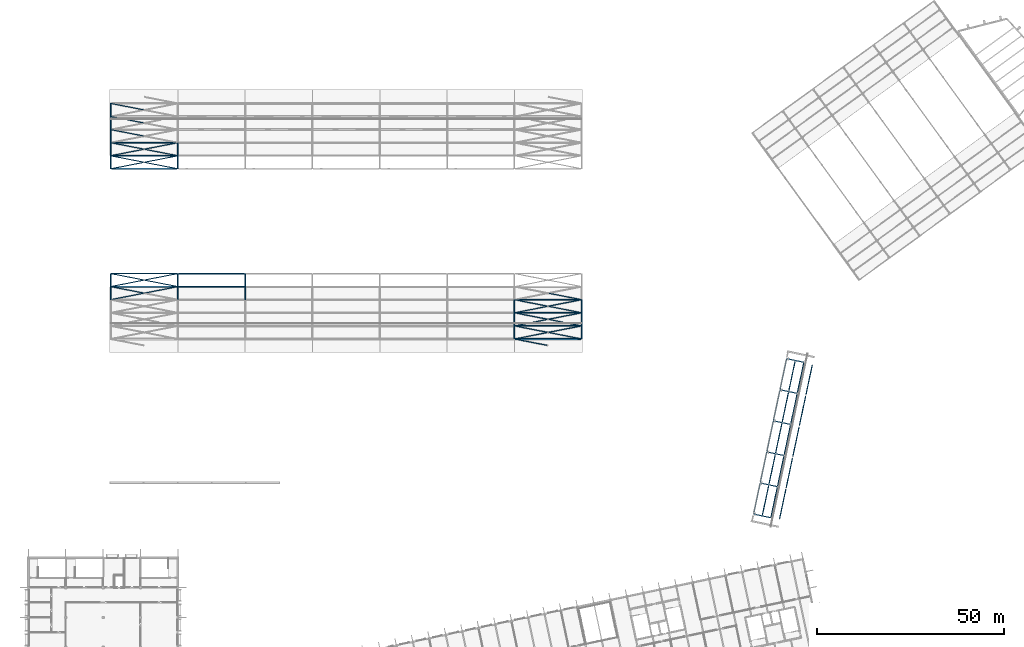
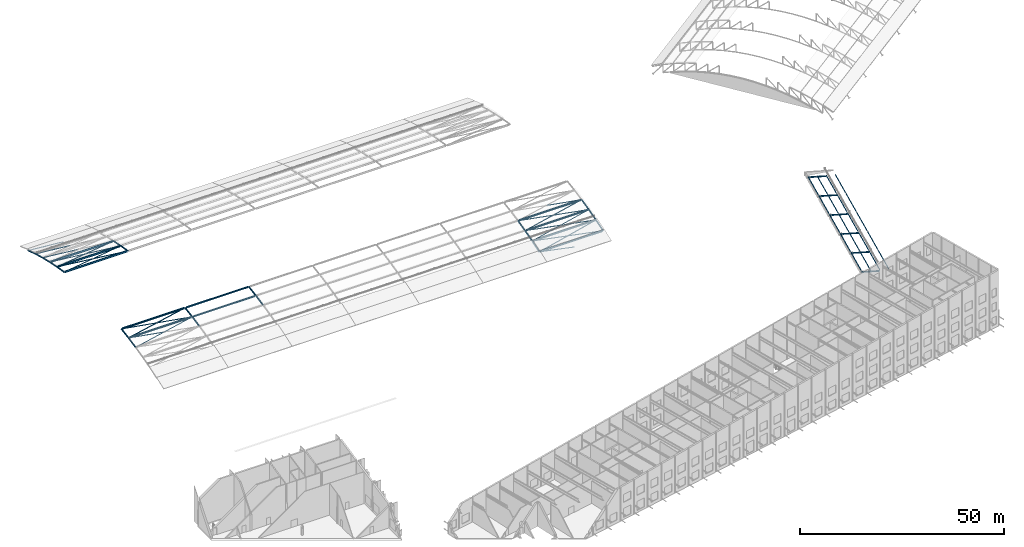
# One storey, part 11 of 69: 81 members.
"""IFC4 building model written with IfcOpenShell, lengths in metres."""

from ifc_helpers import new_model, si_unit, direction, frame, origin, origin_2d, place, context, subcontext, project, spatial, hollow_rectangle, hollow_circle, i_section, extrude, material, material_profile, profile_set, type_object, element, save


model = new_model("IFC4")

# Units and contexts
model_context = context("Model", 3, precision=1e-05, world=origin(), true_north=direction((0.0, 1.0)))
body_context = subcontext(model_context, "Body", "Model", "MODEL_VIEW")
ifc_project = project(units=[si_unit("LENGTHUNIT", "METRE"), si_unit("AREAUNIT", "SQUARE_METRE"), si_unit("VOLUMEUNIT", "CUBIC_METRE"), si_unit("PLANEANGLEUNIT", "RADIAN"), si_unit("MASSUNIT", "GRAM", prefix="KILO")], contexts=[model_context])

# Site, building, storey
site_placement = place(None, origin())
site = spatial("IfcSite", under=ifc_project, at=site_placement, CompositionType="ELEMENT")
building_placement = place(site_placement, origin())
building = spatial("IfcBuilding", under=site, at=building_placement, Name="Okhra Congress Centre", CompositionType="ELEMENT")
storey_placement = place(building_placement, frame((0.0, 0.0, 16.800048828125)))
storey = spatial("IfcBuildingStorey", under=building, at=storey_placement, Name="L03", CompositionType="ELEMENT", Elevation=16.800048828125)

# Members
ifc_material_1 = material(Name="Steel S355J2H", Category="steel")
ifc_material_profile_1 = material_profile(ifc_material_1, hollow_circle(Radius=0.06982421875, WallThickness=0.00634765625, at=origin_2d()), Name="CHS 139.7x6.3")
ifc_profile_set_1 = profile_set([ifc_material_profile_1], Name="Steel S355J2H")
member_type_1 = type_object("IfcMemberType", Name="CHS 139.7x6.3", PredefinedType="BRACE", material=ifc_profile_set_1)
member_1_placement = place(storey_placement, frame((28.185546875, 153.0361328125, 3.7431640625), z_axis=(0.980907189867, 0.190725916044, 0.038009338539), x_axis=(-0.190863837306, 0.981616521667, 0.0)))
element("IfcMember", 1, at=member_1_placement, inside=storey, type_object=member_type_1, Name="EH.MEM.L03.XB1-07-1", PredefinedType="BRACE", context=body_context, shape_type="SweptSolid", body=[
    extrude(hollow_circle(Radius=0.06982421875, WallThickness=0.00634765625, at=origin_2d()), origin(), (0.0, 0.0, 1.0), 17.971923828125),
])
member_2_placement = place(storey_placement, frame((36.838134765625, 154.781494140625, 4.091064453125), z_axis=(-0.980907961626, 0.190723646725, 0.038000807859), x_axis=(-0.190861504377, -0.981616975274, 0.0)))
element("IfcMember", 2, at=member_2_placement, inside=storey, type_object=member_type_1, Name="EH.MEM.L03.XB1-07-2b", PredefinedType="BRACE", context=body_context, shape_type="SweptSolid", body=[
    extrude(hollow_circle(Radius=0.06982421875, WallThickness=0.00634765625, at=origin_2d()), origin(), (0.0, 0.0, 1.0), 8.821044921875),
])
member_3_placement = place(storey_placement, frame((28.185546875, 156.5361328125, 4.439208984375), z_axis=(0.981147821902, 0.190772704126, 0.030898655925), x_axis=(-0.190863837306, 0.981616521667, 0.0)))
element("IfcMember", 3, at=member_3_placement, inside=storey, type_object=member_type_1, Name="EH.MEM.L03.XB1-08-1", PredefinedType="BRACE", context=body_context, shape_type="SweptSolid", body=[
    extrude(hollow_circle(Radius=0.06982421875, WallThickness=0.00634765625, at=origin_2d()), origin(), (0.0, 0.0, 1.0), 17.967529296875),
])
for number, where, z_axis, x_axis, name in (
    (4, (45.814453125, 156.5361328125, 4.439208984375), (-0.981148388072, 0.190769623937, 0.030899695256), (-0.190860761781, -0.981617119661, 0.0), "EH.MEM.L03.XB1-08-2a"),
    (5, (36.8369140625, 158.28173828125, 4.721923828125), (-0.981148388072, 0.190769623937, 0.030899695256), (-0.190860761781, -0.981617119661, 0.0), "EH.MEM.L03.XB1-08-2b"),
):
    element("IfcMember", number, at=place(storey_placement, frame(where, z_axis=z_axis, x_axis=x_axis)), inside=storey, type_object=member_type_1, Name=name, PredefinedType="BRACE", context=body_context, shape_type="SweptSolid", body=[
        extrude(hollow_circle(Radius=0.06982421875, WallThickness=0.00634765625, at=origin_2d()), origin(), (0.0, 0.0, 1.0), 8.817626953125),
    ])
member_4_placement = place(storey_placement, frame((28.185546875, 188.0361328125, 4.994384765625), z_axis=(0.981147821902, 0.190772704126, -0.030898655925), x_axis=(-0.190863837306, 0.981616521667, 0.0)))
element("IfcMember", 6, at=member_4_placement, inside=storey, type_object=member_type_1, Name="EH.MEM.L03.XB1-17-1", PredefinedType="BRACE", context=body_context, shape_type="SweptSolid", body=[
    extrude(hollow_circle(Radius=0.06982421875, WallThickness=0.00634765625, at=origin_2d()), origin(), (0.0, 0.0, 1.0), 17.967529296875),
])
for number, where, z_axis, x_axis, name in (
    (7, (45.814453125, 188.0361328125, 4.994384765625), (-0.981148388072, 0.190769623937, -0.030899695256), (-0.190860761781, -0.981617119661, 0.0), "EH.MEM.L03.XB1-17-2a"),
    (8, (36.8369140625, 189.78173828125, 4.711669921875), (-0.981148388072, 0.190769623937, -0.030899695256), (-0.190860761781, -0.981617119661, 0.0), "EH.MEM.L03.XB1-17-2b"),
):
    element("IfcMember", number, at=place(storey_placement, frame(where, z_axis=z_axis, x_axis=x_axis)), inside=storey, type_object=member_type_1, Name=name, PredefinedType="BRACE", context=body_context, shape_type="SweptSolid", body=[
        extrude(hollow_circle(Radius=0.06982421875, WallThickness=0.00634765625, at=origin_2d()), origin(), (0.0, 0.0, 1.0), 8.817626953125),
    ])
member_5_placement = place(storey_placement, frame((28.185546875, 191.5361328125, 4.42626953125), z_axis=(0.980907189867, 0.190725916044, -0.038009338539), x_axis=(-0.190863837306, 0.981616521667, 0.0)))
element("IfcMember", 9, at=member_5_placement, inside=storey, type_object=member_type_1, Name="EH.MEM.L03.XB1-18-1", PredefinedType="BRACE", context=body_context, shape_type="SweptSolid", body=[
    extrude(hollow_circle(Radius=0.06982421875, WallThickness=0.00634765625, at=origin_2d()), origin(), (0.0, 0.0, 1.0), 17.971923828125),
])
for number, where, z_axis, x_axis, name in (
    (10, (45.814453125, 191.5361328125, 4.42626953125), (-0.980907961626, 0.190723646725, -0.038000807859), (-0.190861504377, -0.981616975274, 0.0), "EH.MEM.L03.XB1-18-2a"),
    (11, (36.838134765625, 193.281494140625, 4.078369140625), (-0.980907961626, 0.190723646725, -0.038000807859), (-0.190861504377, -0.981616975274, 0.0), "EH.MEM.L03.XB1-18-2b"),
):
    element("IfcMember", number, at=place(storey_placement, frame(where, z_axis=z_axis, x_axis=x_axis)), inside=storey, type_object=member_type_1, Name=name, PredefinedType="BRACE", context=body_context, shape_type="SweptSolid", body=[
        extrude(hollow_circle(Radius=0.06982421875, WallThickness=0.00634765625, at=origin_2d()), origin(), (0.0, 0.0, 1.0), 8.821044921875),
    ])
member_6_placement = place(storey_placement, frame((36.83935546875, 196.78125, 3.313232421875), z_axis=(-0.98061091853, 0.190666660568, -0.045259816699), x_axis=(-0.190862246763, -0.981616830928, 0.0)))
element("IfcMember", 12, at=member_6_placement, inside=storey, type_object=member_type_1, Name="EH.MEM.L03.XB1-19-2b", PredefinedType="BRACE", context=body_context, shape_type="SweptSolid", body=[
    extrude(hollow_circle(Radius=0.06982421875, WallThickness=0.00634765625, at=origin_2d()), origin(), (0.0, 0.0, 1.0), 8.824951171875),
])
member_7_placement = place(storey_placement, frame((36.841064453125, 200.281005859375, 2.4130859375), z_axis=(-0.980254647479, 0.19058740544, -0.052699781629), x_axis=(-0.190852614039, -0.981618703833, 0.0)))
element("IfcMember", 13, at=member_7_placement, inside=storey, type_object=member_type_1, Name="EH.MEM.L03.XB1-20-2b", PredefinedType="BRACE", context=body_context, shape_type="SweptSolid", body=[
    extrude(hollow_circle(Radius=0.06982421875, WallThickness=0.00634765625, at=origin_2d()), origin(), (0.0, 0.0, 1.0), 8.829833984375),
])
member_8_placement = place(storey_placement, frame((36.8427734375, 203.780517578125, 1.373779296875), z_axis=(-0.97982466082, 0.190521461826, -0.060375546641), x_axis=(-0.190869659102, -0.981615389669, 0.0)))
element("IfcMember", 14, at=member_8_placement, inside=storey, type_object=member_type_1, Name="EH.MEM.L03.XB1-21-2b", PredefinedType="BRACE", context=body_context, shape_type="SweptSolid", body=[
    extrude(hollow_circle(Radius=0.06982421875, WallThickness=0.00634765625, at=origin_2d()), origin(), (0.0, 0.0, 1.0), 8.83544921875),
])
member_9_placement = place(storey_placement, frame((144.844970703125, 140.780029296875, 0.21240234375), z_axis=(-0.979323118912, 0.190430842458, 0.068281205364), x_axis=(-0.190876325854, -0.981614093332, 0.0)))
element("IfcMember", 15, at=member_9_placement, inside=storey, type_object=member_type_1, Name="EH.MEM.L03.XB7-03-2b", PredefinedType="BRACE", context=body_context, shape_type="SweptSolid", body=[
    extrude(hollow_circle(Radius=0.06982421875, WallThickness=0.00634765625, at=origin_2d()), origin(), (0.0, 0.0, 1.0), 8.84228515625),
])
member_10_placement = place(storey_placement, frame((136.185546875, 142.5361328125, 0.84033203125), z_axis=(0.97982688214, 0.190515862858, 0.06035716225), x_axis=(-0.190863837306, 0.981616521667, 0.0)))
element("IfcMember", 16, at=member_10_placement, inside=storey, type_object=member_type_1, Name="EH.MEM.L03.XB7-04-1", PredefinedType="BRACE", context=body_context, shape_type="SweptSolid", body=[
    extrude(hollow_circle(Radius=0.06982421875, WallThickness=0.00634765625, at=origin_2d()), origin(), (0.0, 0.0, 1.0), 17.991943359375),
])
for number, where, z_axis, x_axis, name in (
    (17, (153.814453125, 142.5361328125, 0.84033203125), (-0.97982466082, 0.190521461826, 0.060375546641), (-0.190869659102, -0.981615389669, 0.0), "EH.MEM.L03.XB7-04-2a"),
    (18, (144.8427734375, 144.280517578125, 1.39306640625), (-0.979826295079, 0.190521779599, 0.060348015467), (-0.190869659102, -0.981615389669, 0.0), "EH.MEM.L03.XB7-04-2b"),
):
    element("IfcMember", number, at=place(storey_placement, frame(where, z_axis=z_axis, x_axis=x_axis)), inside=storey, type_object=member_type_1, Name=name, PredefinedType="BRACE", context=body_context, shape_type="SweptSolid", body=[
        extrude(hollow_circle(Radius=0.06982421875, WallThickness=0.00634765625, at=origin_2d()), origin(), (0.0, 0.0, 1.0), 8.83544921875),
    ])
member_11_placement = place(storey_placement, frame((136.185546875, 146.0361328125, 1.94775390625), z_axis=(0.980253173661, 0.190598750252, 0.052686164511), x_axis=(-0.190863837306, 0.981616521667, 0.0)))
element("IfcMember", 19, at=member_11_placement, inside=storey, type_object=member_type_1, Name="EH.MEM.L03.XB7-05-1", PredefinedType="BRACE", context=body_context, shape_type="SweptSolid", body=[
    extrude(hollow_circle(Radius=0.06982421875, WallThickness=0.00634765625, at=origin_2d()), origin(), (0.0, 0.0, 1.0), 17.984130859375),
])
for number, where, z_axis, x_axis, name in (
    (20, (153.814453125, 146.0361328125, 1.94775390625), (-0.980254647479, 0.19058740544, 0.052699781629), (-0.190852614039, -0.981618703833, 0.0), "EH.MEM.L03.XB7-05-2a"),
    (21, (144.841064453125, 147.781005859375, 2.43017578125), (-0.980256075454, 0.190587683076, 0.052672208945), (-0.190852614039, -0.981618703833, 0.0), "EH.MEM.L03.XB7-05-2b"),
):
    element("IfcMember", number, at=place(storey_placement, frame(where, z_axis=z_axis, x_axis=x_axis)), inside=storey, type_object=member_type_1, Name=name, PredefinedType="BRACE", context=body_context, shape_type="SweptSolid", body=[
        extrude(hollow_circle(Radius=0.06982421875, WallThickness=0.00634765625, at=origin_2d()), origin(), (0.0, 0.0, 1.0), 8.829833984375),
    ])
member_12_placement = place(storey_placement, frame((136.185546875, 149.5361328125, 2.913818359375), z_axis=(0.980610453265, 0.190668219087, 0.045263331497), x_axis=(-0.190863837306, 0.981616521667, 0.0)))
element("IfcMember", 22, at=member_12_placement, inside=storey, type_object=member_type_1, Name="EH.MEM.L03.XB7-06-1", PredefinedType="BRACE", context=body_context, shape_type="SweptSolid", body=[
    extrude(hollow_circle(Radius=0.06982421875, WallThickness=0.00634765625, at=origin_2d()), origin(), (0.0, 0.0, 1.0), 17.9775390625),
])
for number, where, z_axis, x_axis, name in (
    (23, (153.814453125, 149.5361328125, 2.913818359375), (-0.98061091853, 0.190666660568, 0.045259816699), (-0.190862246763, -0.981616830928, 0.0), "EH.MEM.L03.XB7-06-2a"),
    (24, (144.83935546875, 151.28125, 3.328125), (-0.98061091853, 0.190666660568, 0.045259816699), (-0.190862246763, -0.981616830928, 0.0), "EH.MEM.L03.XB7-06-2b"),
):
    element("IfcMember", number, at=place(storey_placement, frame(where, z_axis=z_axis, x_axis=x_axis)), inside=storey, type_object=member_type_1, Name=name, PredefinedType="BRACE", context=body_context, shape_type="SweptSolid", body=[
        extrude(hollow_circle(Radius=0.06982421875, WallThickness=0.00634765625, at=origin_2d()), origin(), (0.0, 0.0, 1.0), 8.824951171875),
    ])
member_13_placement = place(storey_placement, frame((153.814453125, 153.0361328125, 3.7431640625), z_axis=(-0.980907961626, 0.190723646725, 0.038000807859), x_axis=(-0.190861504377, -0.981616975274, 0.0)))
element("IfcMember", 25, at=member_13_placement, inside=storey, type_object=member_type_1, Name="EH.MEM.L03.XB7-07-2a", PredefinedType="BRACE", context=body_context, shape_type="SweptSolid", body=[
    extrude(hollow_circle(Radius=0.06982421875, WallThickness=0.00634765625, at=origin_2d()), origin(), (0.0, 0.0, 1.0), 8.821044921875),
])
ifc_material_profile_2 = material_profile(ifc_material_1, hollow_circle(Radius=0.203125, WallThickness=0.01611328125, at=origin_2d()), Name="CHS 406.4x16.0")
ifc_profile_set_2 = profile_set([ifc_material_profile_2], Name="Steel S355J2H")
member_type_2 = type_object("IfcMemberType", Name="CHS 406.4x16.0", PredefinedType="CHORD", material=ifc_profile_set_2)
member_14_placement = place(storey_placement, frame((28.0, 153.0, 3.736083984375), z_axis=(0.0, 0.980727743848, 0.19537935522), x_axis=(-1.0, 0.0, 0.0)))
element("IfcMember", 26, at=member_14_placement, inside=storey, type_object=member_type_2, Name="EH.MEM.L03.T1-TOP-07", PredefinedType="CHORD", context=body_context, shape_type="SweptSolid", body=[
    extrude(hollow_circle(Radius=0.203125, WallThickness=0.01611328125, at=origin_2d()), origin(), (0.0, 0.0, 1.0), 3.56884765625),
])
for number, where, z_axis, x_axis, name in (
    (27, (28.0, 156.5, 4.433349609375), (0.0, 0.987135453692, 0.159886197229), (-1.0, 0.0, 0.0), "EH.MEM.L03.T1-TOP-08"),
    (28, (28.0, 188.0, 5.000244140625), (0.0, 0.987135453692, -0.159886197229), (-1.0, 0.0, 0.0), "EH.MEM.L03.T1-TOP-17"),
):
    element("IfcMember", number, at=place(storey_placement, frame(where, z_axis=z_axis, x_axis=x_axis)), inside=storey, type_object=member_type_2, Name=name, PredefinedType="CHORD", context=body_context, shape_type="SweptSolid", body=[
        extrude(hollow_circle(Radius=0.203125, WallThickness=0.01611328125, at=origin_2d()), origin(), (0.0, 0.0, 1.0), 3.545654296875),
    ])
member_15_placement = place(storey_placement, frame((28.0, 191.5, 4.433349609375), z_axis=(0.0, 0.980727743848, -0.19537935522), x_axis=(-1.0, 0.0, 0.0)))
element("IfcMember", 29, at=member_15_placement, inside=storey, type_object=member_type_2, Name="EH.MEM.L03.T1-TOP-18", PredefinedType="CHORD", context=body_context, shape_type="SweptSolid", body=[
    extrude(hollow_circle(Radius=0.203125, WallThickness=0.01611328125, at=origin_2d()), origin(), (0.0, 0.0, 1.0), 3.56884765625),
])
member_16_placement = place(storey_placement, frame((28.0, 195.0, 3.736083984375), z_axis=(0.0, 0.972964008489, -0.230956788566), x_axis=(-1.0, 0.0, 0.0)))
element("IfcMember", 30, at=member_16_placement, inside=storey, type_object=member_type_2, Name="EH.MEM.L03.T1-TOP-19", PredefinedType="CHORD", context=body_context, shape_type="SweptSolid", body=[
    extrude(hollow_circle(Radius=0.203125, WallThickness=0.01611328125, at=origin_2d()), origin(), (0.0, 0.0, 1.0), 3.59716796875),
])
member_17_placement = place(storey_placement, frame((28.0, 198.5, 2.9052734375), z_axis=(0.0, 0.96385043732, -0.266443867404), x_axis=(-1.0, 0.0, 0.0)))
element("IfcMember", 31, at=member_17_placement, inside=storey, type_object=member_type_2, Name="EH.MEM.L03.T1-TOP-20", PredefinedType="CHORD", context=body_context, shape_type="SweptSolid", body=[
    extrude(hollow_circle(Radius=0.203125, WallThickness=0.01611328125, at=origin_2d()), origin(), (0.0, 0.0, 1.0), 3.63134765625),
])
member_18_placement = place(storey_placement, frame((46.0, 153.0, 3.736083984375), z_axis=(0.0, 0.980727743848, 0.19537935522), x_axis=(-1.0, 0.0, 0.0)))
element("IfcMember", 32, at=member_18_placement, inside=storey, type_object=member_type_2, Name="EH.MEM.L03.T2-TOP-07", PredefinedType="CHORD", context=body_context, shape_type="SweptSolid", body=[
    extrude(hollow_circle(Radius=0.203125, WallThickness=0.01611328125, at=origin_2d()), origin(), (0.0, 0.0, 1.0), 3.56884765625),
])
for number, where, z_axis, x_axis, name in (
    (33, (46.0, 156.5, 4.433349609375), (0.0, 0.987135453692, 0.159886197229), (-1.0, 0.0, 0.0), "EH.MEM.L03.T2-TOP-08"),
    (34, (46.0, 188.0, 5.000244140625), (0.0, 0.987135453692, -0.159886197229), (-1.0, 0.0, 0.0), "EH.MEM.L03.T2-TOP-17"),
):
    element("IfcMember", number, at=place(storey_placement, frame(where, z_axis=z_axis, x_axis=x_axis)), inside=storey, type_object=member_type_2, Name=name, PredefinedType="CHORD", context=body_context, shape_type="SweptSolid", body=[
        extrude(hollow_circle(Radius=0.203125, WallThickness=0.01611328125, at=origin_2d()), origin(), (0.0, 0.0, 1.0), 3.545654296875),
    ])
for number, where, z_axis, x_axis, name in (
    (35, (46.0, 191.5, 4.433349609375), (0.0, 0.980727743848, -0.19537935522), (-1.0, 0.0, 0.0), "EH.MEM.L03.T2-TOP-18"),
    (36, (64.0, 153.0, 3.736083984375), (0.0, 0.980727743848, 0.19537935522), (-1.0, 0.0, 0.0), "EH.MEM.L03.T3-TOP-07"),
):
    element("IfcMember", number, at=place(storey_placement, frame(where, z_axis=z_axis, x_axis=x_axis)), inside=storey, type_object=member_type_2, Name=name, PredefinedType="CHORD", context=body_context, shape_type="SweptSolid", body=[
        extrude(hollow_circle(Radius=0.203125, WallThickness=0.01611328125, at=origin_2d()), origin(), (0.0, 0.0, 1.0), 3.56884765625),
    ])
member_19_placement = place(storey_placement, frame((64.0, 156.5, 4.433349609375), z_axis=(0.0, 0.987135453692, 0.159886197229), x_axis=(-1.0, 0.0, 0.0)))
element("IfcMember", 37, at=member_19_placement, inside=storey, type_object=member_type_2, Name="EH.MEM.L03.T3-TOP-08", PredefinedType="CHORD", context=body_context, shape_type="SweptSolid", body=[
    extrude(hollow_circle(Radius=0.203125, WallThickness=0.01611328125, at=origin_2d()), origin(), (0.0, 0.0, 1.0), 3.545654296875),
])
member_20_placement = place(storey_placement, frame((136.0, 146.0, 1.937744140625), z_axis=(0.0, 0.96385043732, 0.266443867404), x_axis=(-1.0, 0.0, 0.0)))
element("IfcMember", 38, at=member_20_placement, inside=storey, type_object=member_type_2, Name="EH.MEM.L03.T7-TOP-05", PredefinedType="CHORD", context=body_context, shape_type="SweptSolid", body=[
    extrude(hollow_circle(Radius=0.203125, WallThickness=0.01611328125, at=origin_2d()), origin(), (0.0, 0.0, 1.0), 3.63134765625),
])
member_21_placement = place(storey_placement, frame((136.0, 149.5, 2.9052734375), z_axis=(0.0, 0.972964008489, 0.230956788566), x_axis=(-1.0, 0.0, 0.0)))
element("IfcMember", 39, at=member_21_placement, inside=storey, type_object=member_type_2, Name="EH.MEM.L03.T7-TOP-06", PredefinedType="CHORD", context=body_context, shape_type="SweptSolid", body=[
    extrude(hollow_circle(Radius=0.203125, WallThickness=0.01611328125, at=origin_2d()), origin(), (0.0, 0.0, 1.0), 3.59716796875),
])
member_22_placement = place(storey_placement, frame((154.0, 146.0, 1.937744140625), z_axis=(0.0, 0.96385043732, 0.266443867404), x_axis=(-1.0, 0.0, 0.0)))
element("IfcMember", 40, at=member_22_placement, inside=storey, type_object=member_type_2, Name="EH.MEM.L03.T8-TOP-05", PredefinedType="CHORD", context=body_context, shape_type="SweptSolid", body=[
    extrude(hollow_circle(Radius=0.203125, WallThickness=0.01611328125, at=origin_2d()), origin(), (0.0, 0.0, 1.0), 3.63134765625),
])
member_23_placement = place(storey_placement, frame((154.0, 149.5, 2.9052734375), z_axis=(0.0, 0.972964008489, 0.230956788566), x_axis=(-1.0, 0.0, 0.0)))
element("IfcMember", 41, at=member_23_placement, inside=storey, type_object=member_type_2, Name="EH.MEM.L03.T8-TOP-06", PredefinedType="CHORD", context=body_context, shape_type="SweptSolid", body=[
    extrude(hollow_circle(Radius=0.203125, WallThickness=0.01611328125, at=origin_2d()), origin(), (0.0, 0.0, 1.0), 3.59716796875),
])
ifc_material_profile_3 = material_profile(ifc_material_1, hollow_circle(Radius=0.203125, WallThickness=0.02490234375, at=origin_2d()), Name="CHS 406.4x25.0")
ifc_profile_set_3 = profile_set([ifc_material_profile_3], Name="Steel S355J2H")
member_type_3 = type_object("IfcMemberType", Name="CHS 406.4x25.0", PredefinedType="CHORD", material=ifc_profile_set_3)
for number, where, z_axis, x_axis, name in (
    (42, (28.0, 202.0, 1.937744140625), (0.0, 0.953317980071, -0.301968258057), (-1.0, 0.0, 0.0), "EH.MEM.L03.T1-TOP-21"),
    (43, (136.0, 142.5, 0.8291015625), (0.0, 0.953317980071, 0.301968258057), (-1.0, 0.0, 0.0), "EH.MEM.L03.T7-TOP-04"),
    (44, (154.0, 142.5, 0.8291015625), (0.0, 0.953317980071, 0.301968258057), (-1.0, 0.0, 0.0), "EH.MEM.L03.T8-TOP-04"),
):
    element("IfcMember", number, at=place(storey_placement, frame(where, z_axis=z_axis, x_axis=x_axis)), inside=storey, type_object=member_type_3, Name=name, PredefinedType="CHORD", context=body_context, shape_type="SweptSolid", body=[
        extrude(hollow_circle(Radius=0.203125, WallThickness=0.02490234375, at=origin_2d()), origin(), (0.0, 0.0, 1.0), 3.67138671875),
    ])
ifc_material_2 = material(Name="Steel S355J2", Category="steel")
ifc_material_profile_4 = material_profile(ifc_material_2, i_section(OverallWidth=0.300048828125, OverallDepth=0.5, WebThickness=0.014404296875, FlangeThickness=0.028076171875, at=origin_2d()), Name="HE 500 B")
ifc_profile_set_4 = profile_set([ifc_material_profile_4], Name="Steel S355J2")
member_type_4 = type_object("IfcMemberType", Name="HE 500 B", PredefinedType="PURLIN", material=ifc_profile_set_4)
for number, where, z_axis, x_axis, name in (
    (45, (28.203125, 156.5, 4.433349609375), (1.0, 0.0, 0.0), (0.0, 0.984090272104, 0.177669176702), "EH.MEM.L03.PU1-08"),
    (46, (28.203125, 160.0, 5.000244140625), (1.0, 0.0, 0.0), (0.0, 0.989847310331, 0.142134803025), "EH.MEM.L03.PU1-09"),
    (47, (28.203125, 188.0, 5.000244140625), (1.0, 0.0, 0.0), (0.0, 0.989847310331, -0.142134803025), "EH.MEM.L03.PU1-17"),
    (48, (28.203125, 191.5, 4.433349609375), (1.0, 0.0, 0.0), (0.0, 0.984090272104, -0.177669176702), "EH.MEM.L03.PU1-18"),
    (49, (28.203125, 195.0, 3.736083984375), (1.0, 0.0, 0.0), (0.0, 0.977007698866, -0.21320402519), "EH.MEM.L03.PU1-19"),
    (50, (136.203125, 142.5, 0.8291015625), (1.0, 0.0, 0.0), (0.0, 0.94748076881, 0.319812746362), "EH.MEM.L03.PU7-04"),
    (51, (136.203125, 146.0, 1.937744140625), (1.0, 0.0, 0.0), (0.0, 0.958742588403, 0.284275657035), "EH.MEM.L03.PU7-05"),
    (52, (136.203125, 149.5, 2.9052734375), (1.0, 0.0, 0.0), (0.0, 0.96857042866, 0.248739471587), "EH.MEM.L03.PU7-06"),
    (53, (136.203125, 153.0, 3.736083984375), (1.0, 0.0, 0.0), (0.0, 0.977007698866, 0.21320402519), "EH.MEM.L03.PU7-07"),
):
    element("IfcMember", number, at=place(storey_placement, frame(where, z_axis=z_axis, x_axis=x_axis)), inside=storey, type_object=member_type_4, Name=name, PredefinedType="PURLIN", context=body_context, shape_type="SweptSolid", body=[
        extrude(i_section(OverallWidth=0.300048828125, OverallDepth=0.5, WebThickness=0.014404296875, FlangeThickness=0.028076171875, at=origin_2d()), origin(), (0.0, 0.0, 1.0), 17.59375),
    ])
ifc_material_profile_5 = material_profile(ifc_material_2, i_section(OverallWidth=0.199951171875, OverallDepth=0.5, WebThickness=0.01025390625, FlangeThickness=0.01611328125, at=origin_2d()), Name="IPE 500")
ifc_profile_set_5 = profile_set([ifc_material_profile_5], Name="Steel S355J2")
member_type_5 = type_object("IfcMemberType", Name="IPE 500", PredefinedType="PURLIN", material=ifc_profile_set_5)
for number, where, z_axis, x_axis, name in (
    (54, (46.203125, 156.5, 4.433349609375), (1.0, 0.0, 0.0), (0.0, 0.984090272104, 0.177669176702), "EH.MEM.L03.PU2-08"),
    (55, (46.203125, 160.0, 5.000244140625), (1.0, 0.0, 0.0), (0.0, 0.989847310331, 0.142134803025), "EH.MEM.L03.PU2-09"),
):
    element("IfcMember", number, at=place(storey_placement, frame(where, z_axis=z_axis, x_axis=x_axis)), inside=storey, type_object=member_type_5, Name=name, PredefinedType="PURLIN", context=body_context, shape_type="SweptSolid", body=[
        extrude(i_section(OverallWidth=0.199951171875, OverallDepth=0.5, WebThickness=0.01025390625, FlangeThickness=0.01611328125, at=origin_2d()), origin(), (0.0, 0.0, 1.0), 17.59375),
    ])
ifc_material_profile_6 = material_profile(ifc_material_2, hollow_rectangle(XDim=0.14990234375, YDim=0.25, WallThickness=0.008056640625, at=origin_2d()), Name="RHS 250x150x8")
ifc_profile_set_6 = profile_set([ifc_material_profile_6], Name="Steel S355J2")
member_type_6 = type_object("IfcMemberType", Name="Steel roof purlin RHS 250x150x8", PredefinedType="PURLIN", material=ifc_profile_set_6)
for number, where, z_axis, x_axis, name in (
    (56, (200.018310546875, 95.81298828125, 1.05810546875), (0.207908251916, 0.978148331689, 0.0), (-0.968629059364, 0.2058849031, 0.13917310096), "Roof purlin 1.1"),
    (57, (202.31689453125, 95.324462890625, 0.727783203125), (0.207908251916, 0.978148331689, 0.0), (-0.968629059364, 0.2058849031, 0.13917310096), "Roof purlin 1.2"),
):
    element("IfcMember", number, at=place(storey_placement, frame(where, z_axis=z_axis, x_axis=x_axis)), inside=storey, type_object=member_type_6, Name=name, PredefinedType="PURLIN", context=body_context, shape_type="SweptSolid", body=[
        extrude(hollow_rectangle(XDim=0.14990234375, YDim=0.25, WallThickness=0.008056640625, at=origin_2d()), origin(), (0.0, 0.0, 1.0), 8.199951171875),
    ])
member_24_placement = place(storey_placement, frame((204.61572265625, 94.835693359375, 0.3974609375), z_axis=(0.2079021972, 0.978149618616, 0.0), x_axis=(-0.968630333768, 0.205878907308, 0.13917310096)))
element("IfcMember", 58, at=member_24_placement, inside=storey, type_object=member_type_6, Name="Roof purlin 1.3", PredefinedType="PURLIN", context=body_context, shape_type="SweptSolid", body=[
    extrude(hollow_rectangle(XDim=0.14990234375, YDim=0.25, WallThickness=0.008056640625, at=origin_2d()), origin(), (0.0, 0.0, 1.0), 8.2001953125),
])
for number, where, z_axis, x_axis, name in (
    (59, (206.914306640625, 94.34716796875, 0.067138671875), (0.207908251916, 0.978148331689, 0.0), (-0.968629059364, 0.2058849031, 0.13917310096), "Roof purlin 1.4"),
    (60, (201.78564453125, 104.127197265625, 1.05810546875), (0.207908251916, 0.978148331689, 0.0), (-0.968629059364, 0.2058849031, 0.13917310096), "Roof purlin 2.1"),
    (61, (204.084228515625, 103.638671875, 0.727783203125), (0.207908251916, 0.978148331689, 0.0), (-0.968629059364, 0.2058849031, 0.13917310096), "Roof purlin 2.2"),
    (62, (206.3828125, 103.150146484375, 0.3974609375), (0.207908251916, 0.978148331689, 0.0), (-0.968629059364, 0.2058849031, 0.13917310096), "Roof purlin 2.3"),
):
    element("IfcMember", number, at=place(storey_placement, frame(where, z_axis=z_axis, x_axis=x_axis)), inside=storey, type_object=member_type_6, Name=name, PredefinedType="PURLIN", context=body_context, shape_type="SweptSolid", body=[
        extrude(hollow_rectangle(XDim=0.14990234375, YDim=0.25, WallThickness=0.008056640625, at=origin_2d()), origin(), (0.0, 0.0, 1.0), 8.199951171875),
    ])
for number, where, z_axis, x_axis, name in (
    (63, (208.681396484375, 102.661376953125, 0.067138671875), (0.207930682682, 0.978143563696, 0.0), (-0.968624337773, 0.205907115572, 0.13917310096), "Roof purlin 2.4"),
    (64, (203.552734375, 112.44140625, 1.05810546875), (0.2079021972, 0.978149618616, 0.0), (-0.968630333768, 0.205878907308, 0.13917310096), "Roof purlin 3.1"),
):
    element("IfcMember", number, at=place(storey_placement, frame(where, z_axis=z_axis, x_axis=x_axis)), inside=storey, type_object=member_type_6, Name=name, PredefinedType="PURLIN", context=body_context, shape_type="SweptSolid", body=[
        extrude(hollow_rectangle(XDim=0.14990234375, YDim=0.25, WallThickness=0.008056640625, at=origin_2d()), origin(), (0.0, 0.0, 1.0), 8.2001953125),
    ])
for number, where, z_axis, x_axis, name in (
    (65, (205.8515625, 111.952880859375, 0.727783203125), (0.207908251916, 0.978148331689, 0.0), (-0.968629059364, 0.2058849031, 0.13917310096), "Roof purlin 3.2"),
    (66, (208.150146484375, 111.46435546875, 0.3974609375), (0.207908251916, 0.978148331689, 0.0), (-0.968629059364, 0.2058849031, 0.13917310096), "Roof purlin 3.3"),
    (67, (210.44873046875, 110.975830078125, 0.067138671875), (0.207908251916, 0.978148331689, 0.0), (-0.968629059364, 0.2058849031, 0.13917310096), "Roof purlin 3.4"),
    (68, (205.320068359375, 120.755859375, 1.05810546875), (0.207908251916, 0.978148331689, 0.0), (-0.968629059364, 0.2058849031, 0.13917310096), "Roof purlin 4.1"),
):
    element("IfcMember", number, at=place(storey_placement, frame(where, z_axis=z_axis, x_axis=x_axis)), inside=storey, type_object=member_type_6, Name=name, PredefinedType="PURLIN", context=body_context, shape_type="SweptSolid", body=[
        extrude(hollow_rectangle(XDim=0.14990234375, YDim=0.25, WallThickness=0.008056640625, at=origin_2d()), origin(), (0.0, 0.0, 1.0), 8.199951171875),
    ])
member_25_placement = place(storey_placement, frame((207.61865234375, 120.26708984375, 0.727783203125), z_axis=(0.2079021972, 0.978149618616, 0.0), x_axis=(-0.968630333768, 0.205878907308, 0.13917310096)))
element("IfcMember", 69, at=member_25_placement, inside=storey, type_object=member_type_6, Name="Roof purlin 4.2", PredefinedType="PURLIN", context=body_context, shape_type="SweptSolid", body=[
    extrude(hollow_rectangle(XDim=0.14990234375, YDim=0.25, WallThickness=0.008056640625, at=origin_2d()), origin(), (0.0, 0.0, 1.0), 8.2001953125),
])
for number, where, z_axis, x_axis, name in (
    (70, (209.917236328125, 119.778564453125, 0.3974609375), (0.207936738153, 0.978142276423, 0.0), (-0.968623063028, 0.205913112111, 0.13917310096), "Roof purlin 4.3"),
    (71, (212.216064453125, 119.2900390625, 0.067138671875), (0.207908251916, 0.978148331689, 0.0), (-0.968629059364, 0.2058849031, 0.13917310096), "Roof purlin 4.4"),
    (72, (207.08740234375, 129.070068359375, 1.05810546875), (0.207908251916, 0.978148331689, 0.0), (-0.968629059364, 0.2058849031, 0.13917310096), "Roof purlin 5.1"),
):
    element("IfcMember", number, at=place(storey_placement, frame(where, z_axis=z_axis, x_axis=x_axis)), inside=storey, type_object=member_type_6, Name=name, PredefinedType="PURLIN", context=body_context, shape_type="SweptSolid", body=[
        extrude(hollow_rectangle(XDim=0.14990234375, YDim=0.25, WallThickness=0.008056640625, at=origin_2d()), origin(), (0.0, 0.0, 1.0), 8.199951171875),
    ])
member_26_placement = place(storey_placement, frame((209.385986328125, 128.581298828125, 0.727783203125), z_axis=(0.2079021972, 0.978149618616, 0.0), x_axis=(-0.968630333768, 0.205878907308, 0.13917310096)))
element("IfcMember", 73, at=member_26_placement, inside=storey, type_object=member_type_6, Name="Roof purlin 5.2", PredefinedType="PURLIN", context=body_context, shape_type="SweptSolid", body=[
    extrude(hollow_rectangle(XDim=0.14990234375, YDim=0.25, WallThickness=0.008056640625, at=origin_2d()), origin(), (0.0, 0.0, 1.0), 8.2001953125),
])
for number, where, z_axis, x_axis, name in (
    (74, (211.6845703125, 128.0927734375, 0.3974609375), (0.207908251916, 0.978148331689, 0.0), (-0.968629059364, 0.2058849031, 0.13917310096), "Roof purlin 5.3"),
    (75, (213.983154296875, 127.604248046875, 0.067138671875), (0.207936738153, 0.978142276423, 0.0), (-0.968623063028, 0.205913112111, 0.13917310096), "Roof purlin 5.4"),
):
    element("IfcMember", number, at=place(storey_placement, frame(where, z_axis=z_axis, x_axis=x_axis)), inside=storey, type_object=member_type_6, Name=name, PredefinedType="PURLIN", context=body_context, shape_type="SweptSolid", body=[
        extrude(hollow_rectangle(XDim=0.14990234375, YDim=0.25, WallThickness=0.008056640625, at=origin_2d()), origin(), (0.0, 0.0, 1.0), 8.199951171875),
    ])
ifc_material_profile_7 = material_profile(ifc_material_2, hollow_rectangle(XDim=0.300048828125, YDim=0.300048828125, WallThickness=0.01611328125, at=origin_2d()), Name="RHS 300x300x16")
ifc_profile_set_7 = profile_set([ifc_material_profile_7], Name="Steel S355J2")
member_type_7 = type_object("IfcMemberType", Name="Steel truss chord RHS 300x300x16", PredefinedType="CHORD", material=ifc_profile_set_7)
for number, where, z_axis, x_axis, name in (
    (76, (199.94970703125, 95.67431640625, 0.78564453125), (0.96862609733, -0.205916636623, -0.139146765442), (0.207939520185, 0.978141685005, 0.0), "Hall truss 1 top chord 1"),
    (77, (201.717041015625, 103.988525390625, 0.78564453125), (0.96862609733, -0.205916636623, -0.139146765442), (0.207939520185, 0.978141685005, 0.0), "Hall truss 2 top chord 1"),
):
    element("IfcMember", number, at=place(storey_placement, frame(where, z_axis=z_axis, x_axis=x_axis)), inside=storey, type_object=member_type_7, Name=name, PredefinedType="CHORD", context=body_context, shape_type="SweptSolid", body=[
        extrude(hollow_rectangle(XDim=0.300048828125, YDim=0.300048828125, WallThickness=0.01611328125, at=origin_2d()), origin(), (0.0, 0.0, 1.0), 4.74609375),
    ])
member_27_placement = place(storey_placement, frame((203.484130859375, 112.302734375, 0.78564453125), z_axis=(0.968629274242, -0.205906376974, -0.139139832554), x_axis=(0.207928955205, 0.978143930916, 0.0)))
element("IfcMember", 78, at=member_27_placement, inside=storey, type_object=member_type_7, Name="Hall truss 3 top chord 1", PredefinedType="CHORD", context=body_context, shape_type="SweptSolid", body=[
    extrude(hollow_rectangle(XDim=0.300048828125, YDim=0.300048828125, WallThickness=0.01611328125, at=origin_2d()), origin(), (0.0, 0.0, 1.0), 4.746337890625),
])
for number, where, z_axis, x_axis, name in (
    (79, (205.25146484375, 120.616943359375, 0.78564453125), (0.968636356355, -0.205867376428, -0.13914823919), (0.20788981954, 0.978152249362, 0.0), "Hall truss 4 top chord 1"),
    (80, (207.018798828125, 128.93115234375, 0.78564453125), (0.968636356355, -0.205867376428, -0.13914823919), (0.20788981954, 0.978152249362, 0.0), "Hall truss 5 top chord 1"),
):
    element("IfcMember", number, at=place(storey_placement, frame(where, z_axis=z_axis, x_axis=x_axis)), inside=storey, type_object=member_type_7, Name=name, PredefinedType="CHORD", context=body_context, shape_type="SweptSolid", body=[
        extrude(hollow_rectangle(XDim=0.300048828125, YDim=0.300048828125, WallThickness=0.01611328125, at=origin_2d()), origin(), (0.0, 0.0, 1.0), 4.74609375),
    ])
member_28_placement = place(storey_placement, frame((208.785888671875, 137.24560546875, 0.78564453125), z_axis=(0.968629274242, -0.205906376974, -0.139139832554), x_axis=(0.207928955205, 0.978143930916, 0.0)))
element("IfcMember", 81, at=member_28_placement, inside=storey, type_object=member_type_7, Name="Hall truss 6 top chord 1", PredefinedType="CHORD", context=body_context, shape_type="SweptSolid", body=[
    extrude(hollow_rectangle(XDim=0.300048828125, YDim=0.300048828125, WallThickness=0.01611328125, at=origin_2d()), origin(), (0.0, 0.0, 1.0), 4.746337890625),
])

save(model, "model.ifc")
